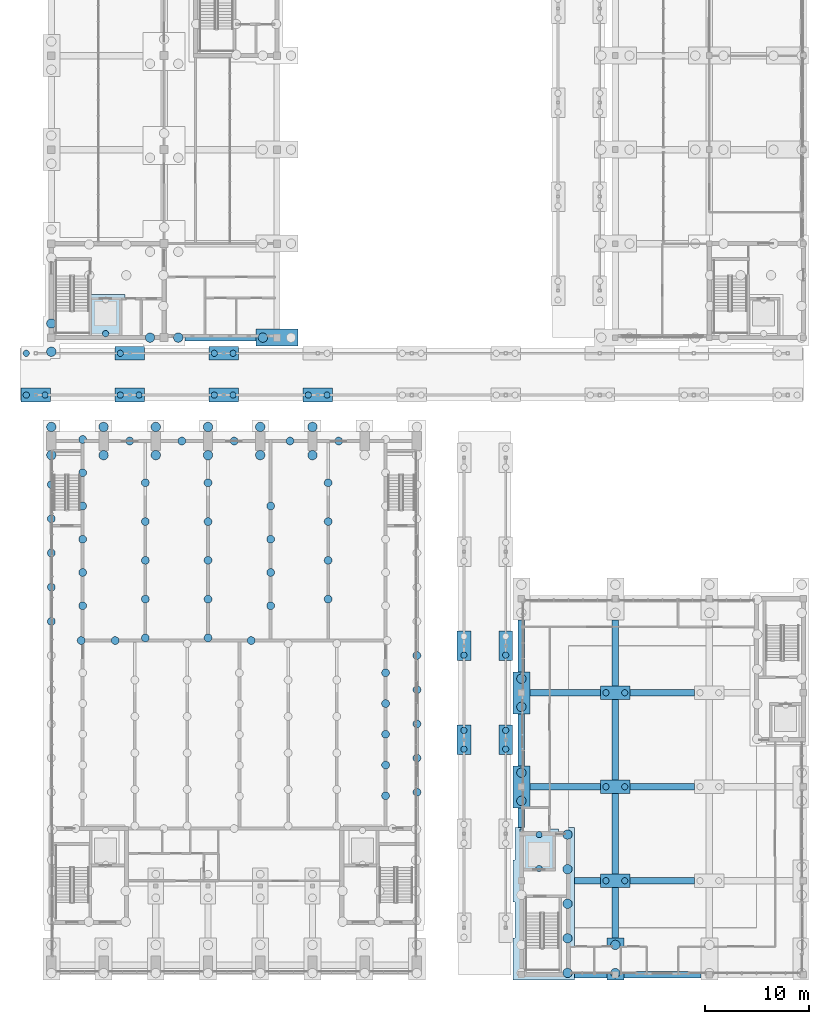
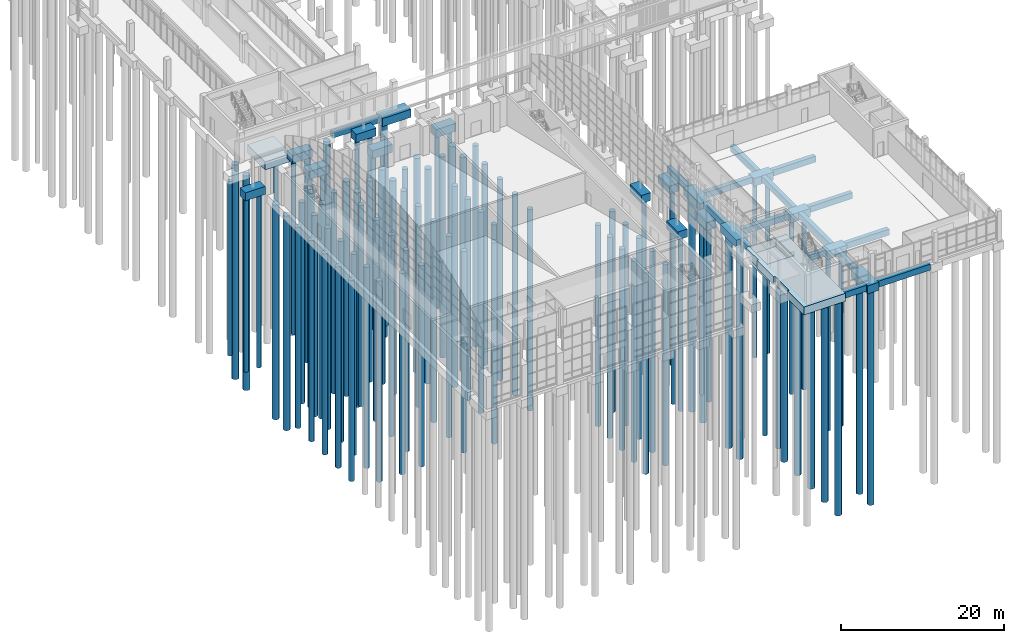
# One storey, part 2 of 106: 102 piles, 36 footings.
"""IFC4 building model written with IfcOpenShell, lengths in metres."""

from ifc_helpers import new_model, si_unit, direction, frame, origin, origin_2d, place, context, subcontext, project, spatial, polyline, circle, outline, extrude, material, material_profile, profile_set, type_object, element, save


model = new_model("IFC4")

# Units and contexts
model_context = context("Model", 3, precision=1e-05, world=origin(), true_north=direction((0.0, 1.0)))
body_context = subcontext(model_context, "Body", "Model", "MODEL_VIEW")
ifc_project = project(units=[si_unit("LENGTHUNIT", "METRE"), si_unit("AREAUNIT", "SQUARE_METRE"), si_unit("VOLUMEUNIT", "CUBIC_METRE"), si_unit("PLANEANGLEUNIT", "RADIAN"), si_unit("MASSUNIT", "GRAM", prefix="KILO")], contexts=[model_context])

# Site, building, storey
site_placement = place(None, origin())
site = spatial("IfcSite", under=ifc_project, at=site_placement, CompositionType="ELEMENT")
building_placement = place(site_placement, origin())
building = spatial("IfcBuilding", under=site, at=building_placement, Name="Merrow Basin Faculty of Sciences", CompositionType="ELEMENT")
storey_placement = place(building_placement, origin())
storey = spatial("IfcBuildingStorey", under=building, at=storey_placement, Name="L00", CompositionType="ELEMENT", Elevation=0.0)

# Piles
ifc_material_1 = material(Name="Concrete C40/50", Category="concrete")
ifc_material_profile_1 = material_profile(ifc_material_1, circle(Radius=0.300048828125, at=origin_2d()))
ifc_profile_set_1 = profile_set([ifc_material_profile_1], Name="Concrete C40/50")
pile_type_1 = type_object("IfcPileType", Name="Bored pile 600 Concrete C40/50", PredefinedType="BORED", material=ifc_profile_set_1)
for number, where, z_axis, x_axis, name in (
    (1, (-2.39990234375, 55.5, -1.39990234375), (0.0, 0.0, -1.0), (1.0, 0.0, 0.0), "BP 001"),
    (2, (-2.39990234375, 59.5, -1.39990234375), (0.0, 0.0, -1.0), (1.0, 0.0, 0.0), "BP 002"),
    (3, (-0.60009765625, 55.5, -1.39990234375), (0.0, 0.0, -1.0), (1.0, 0.0, 0.0), "BP 007"),
    (4, (6.60009765625, 55.5, -1.39990234375), (0.0, 0.0, -1.0), (1.0, 0.0, 0.0), "BP 066"),
    (5, (6.60009765625, 59.5, -1.39990234375), (0.0, 0.0, -1.0), (1.0, 0.0, 0.0), "BP 067"),
    (6, (8.39990234375, 55.5, -1.39990234375), (0.0, 0.0, -1.0), (1.0, 0.0, 0.0), "BP 078"),
    (7, (15.60009765625, 55.5, -1.39990234375), (0.0, 0.0, -1.0), (1.0, 0.0, 0.0), "BP 141"),
    (8, (15.60009765625, 59.5, -1.39990234375), (0.0, 0.0, -1.0), (1.0, 0.0, 0.0), "BP 142"),
    (9, (17.39990234375, 55.5, -1.39990234375), (0.0, 0.0, -1.0), (1.0, 0.0, 0.0), "BP 147"),
    (10, (17.39990234375, 59.5, -1.39990234375), (0.0, 0.0, -1.0), (1.0, 0.0, 0.0), "BP 148"),
    (11, (24.60009765625, 55.5, -1.39990234375), (0.0, 0.0, -1.0), (1.0, 0.0, 0.0), "BP 208"),
    (12, (26.39990234375, 55.5, -1.39990234375), (0.0, 0.0, -1.0), (1.0, 0.0, 0.0), "BP 222"),
    (13, (39.5, 21.60009765625, -1.39990234375), (0.0, 0.0, -1.0), (1.0, 0.0, 0.0), "BP 313"),
    (14, (39.5, 23.39990234375, -1.39990234375), (0.0, 0.0, -1.0), (1.0, 0.0, 0.0), "BP 314"),
    (15, (39.5, 30.60009765625, -1.39990234375), (0.0, 0.0, -1.0), (1.0, 0.0, 0.0), "BP 315"),
    (16, (43.5, 21.60009765625, -1.39990234375), (0.0, 0.0, -1.0), (1.0, 0.0, 0.0), "BP 330"),
    (17, (43.5, 23.39990234375, -1.39990234375), (0.0, 0.0, -1.0), (1.0, 0.0, 0.0), "BP 331"),
    (18, (43.5, 30.60009765625, -1.39990234375), (0.0, 0.0, -1.0), (1.0, 0.0, 0.0), "BP 332"),
    (19, (53.10009765625, 9.0, -1.39990234375), (0.0, 0.0, -1.0), (1.0, 0.0, 0.0), "BP 408"),
    (20, (53.10009765625, 18.0, -1.39990234375), (0.0, 0.0, -1.0), (1.0, 0.0, 0.0), "BP 409"),
    (21, (53.10009765625, 27.0, -1.39990234375), (0.0, 0.0, -1.0), (1.0, 0.0, 0.0), "BP 410"),
    (22, (54.89990234375, 9.0, -1.39990234375), (0.0, 0.0, -1.0), (1.0, 0.0, 0.0), "BP 420"),
    (23, (54.89990234375, 18.0, -1.39990234375), (0.0, 0.0, -1.0), (1.0, 0.0, 0.0), "BP 421"),
    (24, (54.89990234375, 27.0, -1.39990234375), (0.0, 0.0, -1.0), (1.0, 0.0, 0.0), "BP 422"),
    (25, (5.199951171875, 61.3798828125, -2.60009765625), (0.0, 0.0, -1.0), (1.0, 0.0, 0.0), "BP pit 518"),
    (26, (46.699951171875, 10.179931640625, -2.60009765625), (0.0, 0.0, -1.0), (1.0, 0.0, 0.0), "BP pit 526"),
    (27, (46.699951171875, 13.419921875, -2.60009765625), (0.0, 0.0, -1.0), (1.0, 0.0, 0.0), "BP pit 527"),
):
    element("IfcPile", number, at=place(storey_placement, frame(where, z_axis=z_axis, x_axis=x_axis)), inside=storey, type_object=pile_type_1, Name=name, PredefinedType="BORED", context=body_context, shape_type="SweptSolid", body=[
        extrude(circle(Radius=0.300048828125, at=origin_2d()), origin(), (0.0, 0.0, 1.0), 26.10009765625),
    ])
ifc_material_2 = material(Name="Concrete C40/50", Category="concrete")
ifc_material_profile_2 = material_profile(ifc_material_2, circle(Radius=0.375, at=origin_2d()))
ifc_profile_set_2 = profile_set([ifc_material_profile_2], Name="Concrete C40/50")
pile_type_2 = type_object("IfcPileType", Name="Bored pile 750 Concrete C40/50", PredefinedType="BORED", material=ifc_profile_set_2)
for number, where, z_axis, x_axis, name in (
    (28, (0.0, 33.8359375, -1.39990234375), (0.0, 0.0, -1.0), (1.0, 0.0, 0.0), "BP 016"),
    (29, (0.0, 37.10888671875, -1.39990234375), (0.0, 0.0, -1.0), (1.0, 0.0, 0.0), "BP 017"),
    (30, (0.0, 40.382080078125, -1.39990234375), (0.0, 0.0, -1.0), (1.0, 0.0, 0.0), "BP 018"),
    (31, (0.0, 43.655029296875, -1.39990234375), (0.0, 0.0, -1.0), (1.0, 0.0, 0.0), "BP 019"),
    (32, (0.0, 46.927001953125, -1.39990234375), (0.0, 0.0, -1.0), (1.0, 0.0, 0.0), "BP 020"),
    (33, (2.85009765625, 32.0, -1.39990234375), (0.0, 0.0, -1.0), (1.0, 0.0, 0.0), "BP 045"),
    (34, (3.0, 35.3330078125, -1.39990234375), (0.0, 0.0, -1.0), (1.0, 0.0, 0.0), "BP 051"),
    (35, (3.0, 38.51708984375, -1.39990234375), (0.0, 0.0, -1.0), (1.0, 0.0, 0.0), "BP 052"),
    (36, (3.0, 41.699951171875, -1.39990234375), (0.0, 0.0, -1.0), (1.0, 0.0, 0.0), "BP 053"),
    (37, (3.0, 44.883056640625, -1.39990234375), (0.0, 0.0, -1.0), (1.0, 0.0, 0.0), "BP 054"),
    (38, (3.0, 48.06689453125, -1.39990234375), (0.0, 0.0, -1.0), (1.0, 0.0, 0.0), "BP 055"),
    (39, (3.0, 51.25, -1.39990234375), (0.0, 0.0, -1.0), (1.0, 0.0, 0.0), "BP 056"),
    (40, (6.10595703125, 32.0, -1.39990234375), (0.0, 0.0, -1.0), (1.0, 0.0, 0.0), "BP 065"),
    (41, (7.5, 51.10009765625, -1.39990234375), (0.0, 0.0, -1.0), (1.0, 0.0, 0.0), "BP 072"),
    (42, (9.0, 32.25, -1.39990234375), (0.0, 0.0, -1.0), (1.0, 0.0, 0.0), "BP 079"),
    (43, (9.0, 35.962890625, -1.39990234375), (0.0, 0.0, -1.0), (1.0, 0.0, 0.0), "BP 080"),
    (44, (9.0, 39.676025390625, -1.39990234375), (0.0, 0.0, -1.0), (1.0, 0.0, 0.0), "BP 081"),
    (45, (9.0, 43.388916015625, -1.39990234375), (0.0, 0.0, -1.0), (1.0, 0.0, 0.0), "BP 082"),
    (46, (9.0, 47.10205078125, -1.39990234375), (0.0, 0.0, -1.0), (1.0, 0.0, 0.0), "BP 083"),
    (47, (12.5, 51.10009765625, -1.39990234375), (0.0, 0.0, -1.0), (1.0, 0.0, 0.0), "BP 119"),
    (48, (15.0, 32.25, -1.39990234375), (0.0, 0.0, -1.0), (1.0, 0.0, 0.0), "BP 134"),
    (49, (15.0, 35.962890625, -1.39990234375), (0.0, 0.0, -1.0), (1.0, 0.0, 0.0), "BP 135"),
    (50, (15.0, 39.676025390625, -1.39990234375), (0.0, 0.0, -1.0), (1.0, 0.0, 0.0), "BP 136"),
    (51, (15.0, 43.388916015625, -1.39990234375), (0.0, 0.0, -1.0), (1.0, 0.0, 0.0), "BP 137"),
    (52, (15.0, 47.10205078125, -1.39990234375), (0.0, 0.0, -1.0), (1.0, 0.0, 0.0), "BP 138"),
    (53, (17.5, 51.10009765625, -1.39990234375), (0.0, 0.0, -1.0), (1.0, 0.0, 0.0), "BP 150"),
    (54, (19.1279296875, 32.0, -1.39990234375), (0.0, 0.0, -1.0), (1.0, 0.0, 0.0), "BP 163"),
    (55, (21.0, 35.3330078125, -1.39990234375), (0.0, 0.0, -1.0), (1.0, 0.0, 0.0), "BP 183"),
    (56, (21.0, 38.51708984375, -1.39990234375), (0.0, 0.0, -1.0), (1.0, 0.0, 0.0), "BP 184"),
    (57, (21.0, 41.699951171875, -1.39990234375), (0.0, 0.0, -1.0), (1.0, 0.0, 0.0), "BP 185"),
    (58, (21.0, 44.883056640625, -1.39990234375), (0.0, 0.0, -1.0), (1.0, 0.0, 0.0), "BP 186"),
    (59, (22.85009765625, 51.10009765625, -1.39990234375), (0.0, 0.0, -1.0), (1.0, 0.0, 0.0), "BP 198"),
    (60, (26.5, 35.962890625, -1.39990234375), (0.0, 0.0, -1.0), (1.0, 0.0, 0.0), "BP 224"),
    (61, (26.5, 39.676025390625, -1.39990234375), (0.0, 0.0, -1.0), (1.0, 0.0, 0.0), "BP 225"),
    (62, (26.5, 43.388916015625, -1.39990234375), (0.0, 0.0, -1.0), (1.0, 0.0, 0.0), "BP 226"),
    (63, (26.5, 47.10205078125, -1.39990234375), (0.0, 0.0, -1.0), (1.0, 0.0, 0.0), "BP 227"),
    (64, (27.5, 51.10009765625, -1.39990234375), (0.0, 0.0, -1.0), (1.0, 0.0, 0.0), "BP 239"),
    (65, (32.0, 17.14208984375, -1.39990234375), (0.0, 0.0, -1.0), (1.0, 0.0, 0.0), "BP 256"),
    (66, (32.0, 20.0830078125, -1.39990234375), (0.0, 0.0, -1.0), (1.0, 0.0, 0.0), "BP 257"),
    (67, (32.0, 23.02490234375, -1.39990234375), (0.0, 0.0, -1.0), (1.0, 0.0, 0.0), "BP 258"),
    (68, (32.0, 25.967041015625, -1.39990234375), (0.0, 0.0, -1.0), (1.0, 0.0, 0.0), "BP 259"),
    (69, (32.0, 28.907958984375, -1.39990234375), (0.0, 0.0, -1.0), (1.0, 0.0, 0.0), "BP 260"),
    (70, (35.0, 17.472900390625, -1.39990234375), (0.0, 0.0, -1.0), (1.0, 0.0, 0.0), "BP 284"),
    (71, (35.0, 20.7451171875, -1.39990234375), (0.0, 0.0, -1.0), (1.0, 0.0, 0.0), "BP 285"),
    (72, (35.0, 24.01806640625, -1.39990234375), (0.0, 0.0, -1.0), (1.0, 0.0, 0.0), "BP 286"),
    (73, (35.0, 27.291015625, -1.39990234375), (0.0, 0.0, -1.0), (1.0, 0.0, 0.0), "BP 287"),
    (74, (35.0, 30.56396484375, -1.39990234375), (0.0, 0.0, -1.0), (1.0, 0.0, 0.0), "BP 288"),
):
    element("IfcPile", number, at=place(storey_placement, frame(where, z_axis=z_axis, x_axis=x_axis)), inside=storey, type_object=pile_type_2, Name=name, PredefinedType="BORED", context=body_context, shape_type="SweptSolid", body=[
        extrude(circle(Radius=0.375, at=origin_2d()), origin(), (0.0, 0.0, 1.0), 30.10009765625),
    ])
ifc_material_3 = material(Name="Concrete C40/50", Category="concrete")
ifc_material_profile_3 = material_profile(ifc_material_3, circle(Radius=0.449951171875, at=origin_2d()))
ifc_profile_set_3 = profile_set([ifc_material_profile_3], Name="Concrete C40/50")
pile_type_3 = type_object("IfcPileType", Name="Bored pile 900 Concrete C40/50", PredefinedType="BORED", material=ifc_profile_set_3)
for number, where, z_axis, x_axis, name in (
    (75, (0.0, 49.75, -1.39990234375), (0.0, 0.0, -1.0), (1.0, 0.0, 0.0), "BP 021"),
    (76, (0.0, 52.449951171875, -1.39990234375), (0.0, 0.0, -1.0), (1.0, 0.0, 0.0), "BP 022"),
    (77, (0.0, 59.64990234375, -1.39990234375), (0.0, 0.0, -1.0), (1.0, 0.0, 0.0), "BP 023"),
    (78, (0.0, 62.35009765625, -1.39990234375), (0.0, 0.0, -1.0), (1.0, 0.0, 0.0), "BP 024"),
    (79, (5.0, 49.75, -1.39990234375), (0.0, 0.0, -1.0), (1.0, 0.0, 0.0), "BP 063"),
    (80, (5.0, 52.449951171875, -1.39990234375), (0.0, 0.0, -1.0), (1.0, 0.0, 0.0), "BP 064"),
    (81, (9.449951171875, 61.0, -1.39990234375), (0.0, 0.0, -1.0), (1.0, 0.0, 0.0), "BP 084"),
    (82, (10.0, 49.75, -1.39990234375), (0.0, 0.0, -1.0), (1.0, 0.0, 0.0), "BP 097"),
    (83, (10.0, 52.449951171875, -1.39990234375), (0.0, 0.0, -1.0), (1.0, 0.0, 0.0), "BP 098"),
    (84, (12.14990234375, 61.0, -1.39990234375), (0.0, 0.0, -1.0), (1.0, 0.0, 0.0), "BP 110"),
    (85, (15.0, 49.75, -1.39990234375), (0.0, 0.0, -1.0), (1.0, 0.0, 0.0), "BP 139"),
    (86, (15.0, 52.449951171875, -1.39990234375), (0.0, 0.0, -1.0), (1.0, 0.0, 0.0), "BP 140"),
    (87, (20.0, 49.75, -1.39990234375), (0.0, 0.0, -1.0), (1.0, 0.0, 0.0), "BP 172"),
    (88, (20.0, 52.449951171875, -1.39990234375), (0.0, 0.0, -1.0), (1.0, 0.0, 0.0), "BP 173"),
    (89, (20.25, 61.0, -1.39990234375), (0.0, 0.0, -1.0), (1.0, 0.0, 0.0), "BP 174"),
    (90, (25.0, 49.75, -1.39990234375), (0.0, 0.0, -1.0), (1.0, 0.0, 0.0), "BP 213"),
    (91, (25.0, 52.449951171875, -1.39990234375), (0.0, 0.0, -1.0), (1.0, 0.0, 0.0), "BP 214"),
    (92, (45.0, 16.64990234375, -1.39990234375), (0.0, 0.0, -1.0), (1.0, 0.0, 0.0), "BP 346"),
    (93, (45.0, 19.35009765625, -1.39990234375), (0.0, 0.0, -1.0), (1.0, 0.0, 0.0), "BP 347"),
    (94, (45.0, 25.64990234375, -1.39990234375), (0.0, 0.0, -1.0), (1.0, 0.0, 0.0), "BP 348"),
    (95, (45.0, 28.35009765625, -1.39990234375), (0.0, 0.0, -1.0), (1.0, 0.0, 0.0), "BP 349"),
    (96, (49.419921875, 0.179931640625, -1.39990234375), (0.0, 0.0, -1.0), (1.0, 0.0, 0.0), "BP 375"),
    (97, (49.419921875, 3.489990234375, -1.39990234375), (0.0, 0.0, -1.0), (1.0, 0.0, 0.0), "BP 376"),
    (98, (49.419921875, 6.800048828125, -1.39990234375), (0.0, 0.0, -1.0), (1.0, 0.0, 0.0), "BP 377"),
    (99, (49.419921875, 10.110107421875, -1.39990234375), (0.0, 0.0, -1.0), (1.0, 0.0, 0.0), "BP 378"),
    (100, (49.419921875, 13.419921875, -1.39990234375), (0.0, 0.0, -1.0), (1.0, 0.0, 0.0), "BP 379"),
    (101, (54.0, 0.159912109375, -1.39990234375), (0.0, 0.0, -1.0), (1.0, 0.0, 0.0), "BP 416"),
    (102, (54.0, 2.860107421875, -1.39990234375), (0.0, 0.0, -1.0), (1.0, 0.0, 0.0), "BP 417"),
):
    element("IfcPile", number, at=place(storey_placement, frame(where, z_axis=z_axis, x_axis=x_axis)), inside=storey, type_object=pile_type_3, Name=name, PredefinedType="BORED", context=body_context, shape_type="SweptSolid", body=[
        extrude(circle(Radius=0.449951171875, at=origin_2d()), origin(), (0.0, 0.0, 1.0), 32.10009765625),
    ])

# Footings
ifc_material_4 = material(Name="Concrete C40/50", Category="concrete")
footing_type_1 = type_object("IfcFootingType", Name="Ground beam 600x900 Concrete C40/50", PredefinedType="FOOTING_BEAM", material=ifc_material_4)
footing_1_placement = place(storey_placement, frame((0.0, 0.0, -1.199951171875)))
element("IfcFooting", 103, at=footing_1_placement, inside=storey, type_object=footing_type_1, Name="GB 001", PredefinedType="FOOTING_BEAM", context=body_context, shape_type="SweptSolid", body=[
    extrude(outline(polyline([(12.81005859375, 60.699951171875), (19.590087890625, 60.699951171875), (19.590087890625, 61.300048828125), (12.81005859375, 61.300048828125), (12.81005859375, 60.699951171875)])), origin(), (0.0, 0.0, 1.0), 0.89990234375),
])
footing_2_placement = place(storey_placement, frame((0.0, 0.0, -1.199951171875)))
element("IfcFooting", 104, at=footing_2_placement, inside=storey, type_object=footing_type_1, Name="GB 073", PredefinedType="FOOTING_BEAM", context=body_context, shape_type="SweptSolid", body=[
    extrude(outline(polyline([(50.10009765625, -0.300048828125), (53.18994140625, -0.300048828125), (53.18994140625, 0.300048828125), (50.10009765625, 0.300048828125), (50.10009765625, -0.300048828125)])), origin(), (0.0, 0.0, 1.0), 0.89990234375),
])
footing_3_placement = place(storey_placement, frame((0.0, 0.0, -1.199951171875)))
element("IfcFooting", 105, at=footing_3_placement, inside=storey, type_object=footing_type_1, Name="GB 074", PredefinedType="FOOTING_BEAM", context=body_context, shape_type="SweptSolid", body=[
    extrude(outline(polyline([(54.81005859375, -0.300048828125), (62.18994140625, -0.300048828125), (62.18994140625, 0.300048828125), (54.81005859375, 0.300048828125), (54.81005859375, -0.300048828125)])), origin(), (0.0, 0.0, 1.0), 0.89990234375),
])
footing_4_placement = place(storey_placement, frame((0.0, 0.0, -1.199951171875)))
element("IfcFooting", 106, at=footing_4_placement, inside=storey, type_object=footing_type_1, Name="GB 076", PredefinedType="FOOTING_BEAM", context=body_context, shape_type="SweptSolid", body=[
    extrude(outline(polyline([(50.10009765625, 8.699951171875), (52.590087890625, 8.699951171875), (52.590087890625, 9.300048828125), (50.10009765625, 9.300048828125), (50.10009765625, 8.699951171875)])), origin(), (0.0, 0.0, 1.0), 0.89990234375),
])
footing_5_placement = place(storey_placement, frame((0.0, 0.0, -1.199951171875)))
element("IfcFooting", 107, at=footing_5_placement, inside=storey, type_object=footing_type_1, Name="GB 077", PredefinedType="FOOTING_BEAM", context=body_context, shape_type="SweptSolid", body=[
    extrude(outline(polyline([(55.409912109375, 8.699951171875), (61.590087890625, 8.699951171875), (61.590087890625, 9.300048828125), (55.409912109375, 9.300048828125), (55.409912109375, 8.699951171875)])), origin(), (0.0, 0.0, 1.0), 0.89990234375),
])
footing_6_placement = place(storey_placement, frame((0.0, 0.0, -1.199951171875)))
element("IfcFooting", 108, at=footing_6_placement, inside=storey, type_object=footing_type_1, Name="GB 079", PredefinedType="FOOTING_BEAM", context=body_context, shape_type="SweptSolid", body=[
    extrude(outline(polyline([(45.81005859375, 17.699951171875), (52.590087890625, 17.699951171875), (52.590087890625, 18.300048828125), (45.81005859375, 18.300048828125), (45.81005859375, 17.699951171875)])), origin(), (0.0, 0.0, 1.0), 0.89990234375),
])
footing_7_placement = place(storey_placement, frame((0.0, 0.0, -1.199951171875)))
element("IfcFooting", 109, at=footing_7_placement, inside=storey, type_object=footing_type_1, Name="GB 080", PredefinedType="FOOTING_BEAM", context=body_context, shape_type="SweptSolid", body=[
    extrude(outline(polyline([(55.409912109375, 17.699951171875), (61.590087890625, 17.699951171875), (61.590087890625, 18.300048828125), (55.409912109375, 18.300048828125), (55.409912109375, 17.699951171875)])), origin(), (0.0, 0.0, 1.0), 0.89990234375),
])
footing_8_placement = place(storey_placement, frame((0.0, 0.0, -1.199951171875)))
element("IfcFooting", 110, at=footing_8_placement, inside=storey, type_object=footing_type_1, Name="GB 082", PredefinedType="FOOTING_BEAM", context=body_context, shape_type="SweptSolid", body=[
    extrude(outline(polyline([(45.81005859375, 26.699951171875), (52.590087890625, 26.699951171875), (52.590087890625, 27.300048828125), (45.81005859375, 27.300048828125), (45.81005859375, 26.699951171875)])), origin(), (0.0, 0.0, 1.0), 0.89990234375),
])
footing_9_placement = place(storey_placement, frame((0.0, 0.0, -1.199951171875)))
element("IfcFooting", 111, at=footing_9_placement, inside=storey, type_object=footing_type_1, Name="GB 083", PredefinedType="FOOTING_BEAM", context=body_context, shape_type="SweptSolid", body=[
    extrude(outline(polyline([(55.409912109375, 26.699951171875), (61.590087890625, 26.699951171875), (61.590087890625, 27.300048828125), (55.409912109375, 27.300048828125), (55.409912109375, 26.699951171875)])), origin(), (0.0, 0.0, 1.0), 0.89990234375),
])
footing_10_placement = place(storey_placement, frame((0.0, 0.0, -1.199951171875)))
element("IfcFooting", 112, at=footing_10_placement, inside=storey, type_object=footing_type_1, Name="GB 088", PredefinedType="FOOTING_BEAM", context=body_context, shape_type="SweptSolid", body=[
    extrude(outline(polyline([(44.699951171875, 14.10009765625), (45.300048828125, 14.10009765625), (45.300048828125, 15.989990234375), (44.699951171875, 15.989990234375), (44.699951171875, 14.10009765625)])), origin(), (0.0, 0.0, 1.0), 0.89990234375),
])
footing_11_placement = place(storey_placement, frame((0.0, 0.0, -1.199951171875)))
element("IfcFooting", 113, at=footing_11_placement, inside=storey, type_object=footing_type_1, Name="GB 089", PredefinedType="FOOTING_BEAM", context=body_context, shape_type="SweptSolid", body=[
    extrude(outline(polyline([(44.699951171875, 20.010009765625), (45.300048828125, 20.010009765625), (45.300048828125, 24.989990234375), (44.699951171875, 24.989990234375), (44.699951171875, 20.010009765625)])), origin(), (0.0, 0.0, 1.0), 0.89990234375),
])
footing_12_placement = place(storey_placement, frame((0.0, 0.0, -1.199951171875)))
element("IfcFooting", 114, at=footing_12_placement, inside=storey, type_object=footing_type_1, Name="GB 090", PredefinedType="FOOTING_BEAM", context=body_context, shape_type="SweptSolid", body=[
    extrude(outline(polyline([(44.699951171875, 29.010009765625), (45.300048828125, 29.010009765625), (45.300048828125, 33.989990234375), (44.699951171875, 33.989990234375), (44.699951171875, 29.010009765625)])), origin(), (0.0, 0.0, 1.0), 0.89990234375),
])
footing_13_placement = place(storey_placement, frame((0.0, 0.0, -1.199951171875)))
element("IfcFooting", 115, at=footing_13_placement, inside=storey, type_object=footing_type_1, Name="GB 091", PredefinedType="FOOTING_BEAM", context=body_context, shape_type="SweptSolid", body=[
    extrude(outline(polyline([(53.699951171875, 3.52001953125), (54.300048828125, 3.52001953125), (54.300048828125, 8.340087890625), (53.699951171875, 8.340087890625), (53.699951171875, 3.52001953125)])), origin(), (0.0, 0.0, 1.0), 0.89990234375),
])
footing_14_placement = place(storey_placement, frame((0.0, 0.0, -1.199951171875)))
element("IfcFooting", 116, at=footing_14_placement, inside=storey, type_object=footing_type_1, Name="GB 092", PredefinedType="FOOTING_BEAM", context=body_context, shape_type="SweptSolid", body=[
    extrude(outline(polyline([(53.699951171875, 9.659912109375), (54.300048828125, 9.659912109375), (54.300048828125, 17.340087890625), (53.699951171875, 17.340087890625), (53.699951171875, 9.659912109375)])), origin(), (0.0, 0.0, 1.0), 0.89990234375),
])
footing_15_placement = place(storey_placement, frame((0.0, 0.0, -1.199951171875)))
element("IfcFooting", 117, at=footing_15_placement, inside=storey, type_object=footing_type_1, Name="GB 093", PredefinedType="FOOTING_BEAM", context=body_context, shape_type="SweptSolid", body=[
    extrude(outline(polyline([(53.699951171875, 18.659912109375), (54.300048828125, 18.659912109375), (54.300048828125, 26.340087890625), (53.699951171875, 26.340087890625), (53.699951171875, 18.659912109375)])), origin(), (0.0, 0.0, 1.0), 0.89990234375),
])
footing_16_placement = place(storey_placement, frame((0.0, 0.0, -1.199951171875)))
element("IfcFooting", 118, at=footing_16_placement, inside=storey, type_object=footing_type_1, Name="GB 094", PredefinedType="FOOTING_BEAM", context=body_context, shape_type="SweptSolid", body=[
    extrude(outline(polyline([(53.699951171875, 27.659912109375), (54.300048828125, 27.659912109375), (54.300048828125, 33.989990234375), (53.699951171875, 33.989990234375), (53.699951171875, 27.659912109375)])), origin(), (0.0, 0.0, 1.0), 0.89990234375),
])
ifc_material_5 = material(Name="Concrete C40/50", Category="concrete")
footing_type_2 = type_object("IfcFootingType", Name="Lift pit raft 3700x4300 Concrete C40/50", PredefinedType="PILE_CAP", material=ifc_material_5)
footing_17_placement = place(storey_placement, frame((0.0, 0.0, -2.699951171875)))
element("IfcFooting", 119, at=footing_17_placement, inside=storey, type_object=footing_type_2, Name="Lift pit raft 2", PredefinedType="PILE_CAP", context=body_context, shape_type="SweptSolid", body=[
    extrude(outline(polyline([(7.050048828125, 60.85009765625), (3.35009765625, 60.85009765625), (3.35009765625, 65.14990234375), (7.050048828125, 65.14990234375), (7.050048828125, 60.85009765625)])), origin(), (0.0, 0.0, 1.0), 1.199951171875),
])
footing_18_placement = place(storey_placement, frame((0.0, 0.0, -2.699951171875)))
element("IfcFooting", 120, at=footing_18_placement, inside=storey, type_object=footing_type_2, Name="Lift pit raft 6", PredefinedType="PILE_CAP", context=body_context, shape_type="SweptSolid", body=[
    extrude(outline(polyline([(48.550048828125, 13.949951171875), (48.550048828125, 9.64990234375), (44.85009765625, 9.64990234375), (44.85009765625, 13.949951171875), (48.550048828125, 13.949951171875)])), origin(), (0.0, 0.0, 1.0), 1.199951171875),
])
ifc_material_6 = material(Name="Concrete C40/50", Category="concrete")
footing_type_3 = type_object("IfcFootingType", Name="Pile cap 1 piles 2820x1320 Concrete C40/50", PredefinedType="PILE_CAP", material=ifc_material_6)
footing_19_placement = place(storey_placement, frame((0.0, 0.0, -1.5)))
element("IfcFooting", 121, at=footing_19_placement, inside=storey, type_object=footing_type_3, Name="PC6 016", PredefinedType="PILE_CAP", context=body_context, shape_type="SweptSolid", body=[
    extrude(outline(polyline([(6.090087890625, 60.159912109375), (8.909912109375, 60.159912109375), (8.909912109375, 58.840087890625), (6.090087890625, 58.840087890625), (6.090087890625, 60.159912109375)])), origin(), (0.0, 0.0, 1.0), 1.199951171875),
])
ifc_material_7 = material(Name="Concrete C40/50", Category="concrete")
footing_type_4 = type_object("IfcFootingType", Name="Pile cap 2 piles 1320x2820 Concrete C40/50", PredefinedType="PILE_CAP", material=ifc_material_7)
footing_20_placement = place(storey_placement, frame((0.0, 0.0, -1.5)))
element("IfcFooting", 122, at=footing_20_placement, inside=storey, type_object=footing_type_4, Name="PC3 059", PredefinedType="PILE_CAP", context=body_context, shape_type="SweptSolid", body=[
    extrude(outline(polyline([(38.840087890625, 23.909912109375), (40.159912109375, 23.909912109375), (40.159912109375, 21.090087890625), (38.840087890625, 21.090087890625), (38.840087890625, 23.909912109375)])), origin(), (0.0, 0.0, 1.0), 1.199951171875),
])
footing_21_placement = place(storey_placement, frame((0.0, 0.0, -1.5)))
element("IfcFooting", 123, at=footing_21_placement, inside=storey, type_object=footing_type_4, Name="PC3 060", PredefinedType="PILE_CAP", context=body_context, shape_type="SweptSolid", body=[
    extrude(outline(polyline([(38.840087890625, 32.909912109375), (40.159912109375, 32.909912109375), (40.159912109375, 30.090087890625), (38.840087890625, 30.090087890625), (38.840087890625, 32.909912109375)])), origin(), (0.0, 0.0, 1.0), 1.199951171875),
])
footing_22_placement = place(storey_placement, frame((0.0, 0.0, -1.5)))
element("IfcFooting", 124, at=footing_22_placement, inside=storey, type_object=footing_type_4, Name="PC3 069", PredefinedType="PILE_CAP", context=body_context, shape_type="SweptSolid", body=[
    extrude(outline(polyline([(42.840087890625, 23.909912109375), (44.159912109375, 23.909912109375), (44.159912109375, 21.090087890625), (42.840087890625, 21.090087890625), (42.840087890625, 23.909912109375)])), origin(), (0.0, 0.0, 1.0), 1.199951171875),
])
footing_23_placement = place(storey_placement, frame((0.0, 0.0, -1.5)))
element("IfcFooting", 125, at=footing_23_placement, inside=storey, type_object=footing_type_4, Name="PC3 070", PredefinedType="PILE_CAP", context=body_context, shape_type="SweptSolid", body=[
    extrude(outline(polyline([(42.840087890625, 32.909912109375), (44.159912109375, 32.909912109375), (44.159912109375, 30.090087890625), (42.840087890625, 30.090087890625), (42.840087890625, 32.909912109375)])), origin(), (0.0, 0.0, 1.0), 1.199951171875),
])
ifc_material_8 = material(Name="Concrete C40/50", Category="concrete")
footing_type_5 = type_object("IfcFootingType", Name="Pile cap 2 piles 1620x4020 Concrete C40/50", PredefinedType="PILE_CAP", material=ifc_material_8)
footing_24_placement = place(storey_placement, frame((0.0, 0.0, -1.5)))
element("IfcFooting", 126, at=footing_24_placement, inside=storey, type_object=footing_type_5, Name="PC4 077", PredefinedType="PILE_CAP", context=body_context, shape_type="SweptSolid", body=[
    extrude(outline(polyline([(44.18994140625, 20.010009765625), (45.81005859375, 20.010009765625), (45.81005859375, 15.989990234375), (44.18994140625, 15.989990234375), (44.18994140625, 20.010009765625)])), origin(), (0.0, 0.0, 1.0), 1.199951171875),
])
footing_25_placement = place(storey_placement, frame((0.0, 0.0, -1.5)))
element("IfcFooting", 127, at=footing_25_placement, inside=storey, type_object=footing_type_5, Name="PC4 078", PredefinedType="PILE_CAP", context=body_context, shape_type="SweptSolid", body=[
    extrude(outline(polyline([(44.18994140625, 29.010009765625), (45.81005859375, 29.010009765625), (45.81005859375, 24.989990234375), (44.18994140625, 24.989990234375), (44.18994140625, 29.010009765625)])), origin(), (0.0, 0.0, 1.0), 1.199951171875),
])
footing_26_placement = place(storey_placement, frame((0.0, 0.0, -1.5)))
element("IfcFooting", 128, at=footing_26_placement, inside=storey, type_object=footing_type_5, Name="PC4 110", PredefinedType="PILE_CAP", context=body_context, shape_type="SweptSolid", body=[
    extrude(outline(polyline([(54.81005859375, 3.52001953125), (54.81005859375, -0.5), (53.18994140625, -0.5), (53.18994140625, 3.52001953125), (54.81005859375, 3.52001953125)])), origin(), (0.0, 0.0, 1.0), 1.199951171875),
])
ifc_material_9 = material(Name="Concrete C40/50", Category="concrete")
footing_type_6 = type_object("IfcFootingType", Name="Pile cap 2 piles 2820x1320 Concrete C40/50", PredefinedType="PILE_CAP", material=ifc_material_9)
footing_27_placement = place(storey_placement, frame((0.0, 0.0, -1.5)))
element("IfcFooting", 129, at=footing_27_placement, inside=storey, type_object=footing_type_6, Name="PC1 001", PredefinedType="PILE_CAP", context=body_context, shape_type="SweptSolid", body=[
    extrude(outline(polyline([(-2.909912109375, 56.159912109375), (-0.090087890625, 56.159912109375), (-0.090087890625, 54.840087890625), (-2.909912109375, 54.840087890625), (-2.909912109375, 56.159912109375)])), origin(), (0.0, 0.0, 1.0), 1.199951171875),
])
footing_28_placement = place(storey_placement, frame((0.0, 0.0, -1.5)))
element("IfcFooting", 130, at=footing_28_placement, inside=storey, type_object=footing_type_6, Name="PC1 015", PredefinedType="PILE_CAP", context=body_context, shape_type="SweptSolid", body=[
    extrude(outline(polyline([(6.090087890625, 56.159912109375), (8.909912109375, 56.159912109375), (8.909912109375, 54.840087890625), (6.090087890625, 54.840087890625), (6.090087890625, 56.159912109375)])), origin(), (0.0, 0.0, 1.0), 1.199951171875),
])
footing_29_placement = place(storey_placement, frame((0.0, 0.0, -1.5)))
element("IfcFooting", 131, at=footing_29_placement, inside=storey, type_object=footing_type_6, Name="PC1 028", PredefinedType="PILE_CAP", context=body_context, shape_type="SweptSolid", body=[
    extrude(outline(polyline([(15.090087890625, 56.159912109375), (17.909912109375, 56.159912109375), (17.909912109375, 54.840087890625), (15.090087890625, 54.840087890625), (15.090087890625, 56.159912109375)])), origin(), (0.0, 0.0, 1.0), 1.199951171875),
])
footing_30_placement = place(storey_placement, frame((0.0, 0.0, -1.5)))
element("IfcFooting", 132, at=footing_30_placement, inside=storey, type_object=footing_type_6, Name="PC1 029", PredefinedType="PILE_CAP", context=body_context, shape_type="SweptSolid", body=[
    extrude(outline(polyline([(15.090087890625, 60.159912109375), (17.909912109375, 60.159912109375), (17.909912109375, 58.840087890625), (15.090087890625, 58.840087890625), (15.090087890625, 60.159912109375)])), origin(), (0.0, 0.0, 1.0), 1.199951171875),
])
footing_31_placement = place(storey_placement, frame((0.0, 0.0, -1.5)))
element("IfcFooting", 133, at=footing_31_placement, inside=storey, type_object=footing_type_6, Name="PC1 040", PredefinedType="PILE_CAP", context=body_context, shape_type="SweptSolid", body=[
    extrude(outline(polyline([(24.090087890625, 56.159912109375), (26.909912109375, 56.159912109375), (26.909912109375, 54.840087890625), (24.090087890625, 54.840087890625), (24.090087890625, 56.159912109375)])), origin(), (0.0, 0.0, 1.0), 1.199951171875),
])
footing_32_placement = place(storey_placement, frame((0.0, 0.0, -1.5)))
element("IfcFooting", 134, at=footing_32_placement, inside=storey, type_object=footing_type_6, Name="PC1 107", PredefinedType="PILE_CAP", context=body_context, shape_type="SweptSolid", body=[
    extrude(outline(polyline([(52.590087890625, 9.659912109375), (55.409912109375, 9.659912109375), (55.409912109375, 8.340087890625), (52.590087890625, 8.340087890625), (52.590087890625, 9.659912109375)])), origin(), (0.0, 0.0, 1.0), 1.199951171875),
])
footing_33_placement = place(storey_placement, frame((0.0, 0.0, -1.5)))
element("IfcFooting", 135, at=footing_33_placement, inside=storey, type_object=footing_type_6, Name="PC1 108", PredefinedType="PILE_CAP", context=body_context, shape_type="SweptSolid", body=[
    extrude(outline(polyline([(52.590087890625, 17.340087890625), (52.590087890625, 18.659912109375), (55.409912109375, 18.659912109375), (55.409912109375, 17.340087890625), (52.590087890625, 17.340087890625)])), origin(), (0.0, 0.0, 1.0), 1.199951171875),
])
footing_34_placement = place(storey_placement, frame((0.0, 0.0, -1.5)))
element("IfcFooting", 136, at=footing_34_placement, inside=storey, type_object=footing_type_6, Name="PC1 109", PredefinedType="PILE_CAP", context=body_context, shape_type="SweptSolid", body=[
    extrude(outline(polyline([(52.590087890625, 27.659912109375), (55.409912109375, 27.659912109375), (55.409912109375, 26.340087890625), (52.590087890625, 26.340087890625), (52.590087890625, 27.659912109375)])), origin(), (0.0, 0.0, 1.0), 1.199951171875),
])
ifc_material_10 = material(Name="Concrete C40/50", Category="concrete")
footing_type_7 = type_object("IfcFootingType", Name="Pile cap 2 piles 4020x1620 Concrete C40/50", PredefinedType="PILE_CAP", material=ifc_material_10)
footing_35_placement = place(storey_placement, frame((0.0, 0.0, -1.5)))
element("IfcFooting", 137, at=footing_35_placement, inside=storey, type_object=footing_type_7, Name="PC13 035", PredefinedType="PILE_CAP", context=body_context, shape_type="SweptSolid", body=[
    extrude(outline(polyline([(19.590087890625, 61.81005859375), (23.610107421875, 61.81005859375), (23.610107421875, 60.18994140625), (19.590087890625, 60.18994140625), (19.590087890625, 61.81005859375)])), origin(), (0.0, 0.0, 1.0), 1.199951171875),
])
ifc_material_11 = material(Name="Concrete C40/50", Category="concrete")
footing_type_8 = type_object("IfcFootingType", Name="Pile raft 76 Concrete C40/50", PredefinedType="PILE_CAP", material=ifc_material_11)
footing_36_placement = place(storey_placement, frame((0.0, 0.0, -1.5)))
element("IfcFooting", 138, at=footing_36_placement, inside=storey, type_object=footing_type_8, Name="PC18 076", PredefinedType="PILE_CAP", context=body_context, shape_type="SweptSolid", body=[
    extrude(outline(polyline([(44.39990234375, 3.52001953125), (44.39990234375, 6.989990234375), (44.18994140625, 6.989990234375), (44.18994140625, 11.010009765625), (44.39990234375, 11.010009765625), (44.39990234375, 14.10009765625), (50.10009765625, 14.10009765625), (50.10009765625, -0.5), (45.81005859375, -0.5), (44.39990234375, -0.5), (44.18994140625, -0.5), (44.18994140625, 3.52001953125), (44.39990234375, 3.52001953125)]), holes=[polyline([(48.550048828125, 9.64990234375), (48.550048828125, 13.949951171875), (44.85009765625, 13.949951171875), (44.85009765625, 11.010009765625), (44.85009765625, 9.64990234375), (45.81005859375, 9.64990234375), (48.550048828125, 9.64990234375)])]), origin(), (0.0, 0.0, 1.0), 1.199951171875),
])

save(model, "model.ifc")
